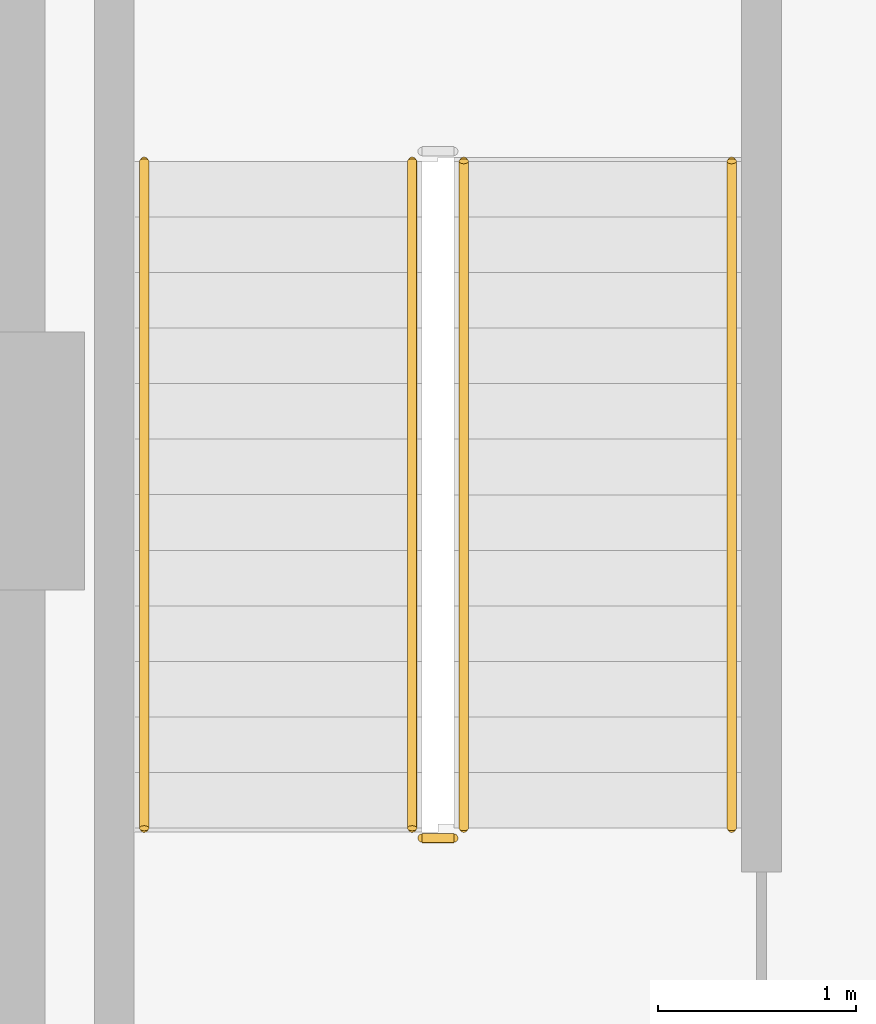
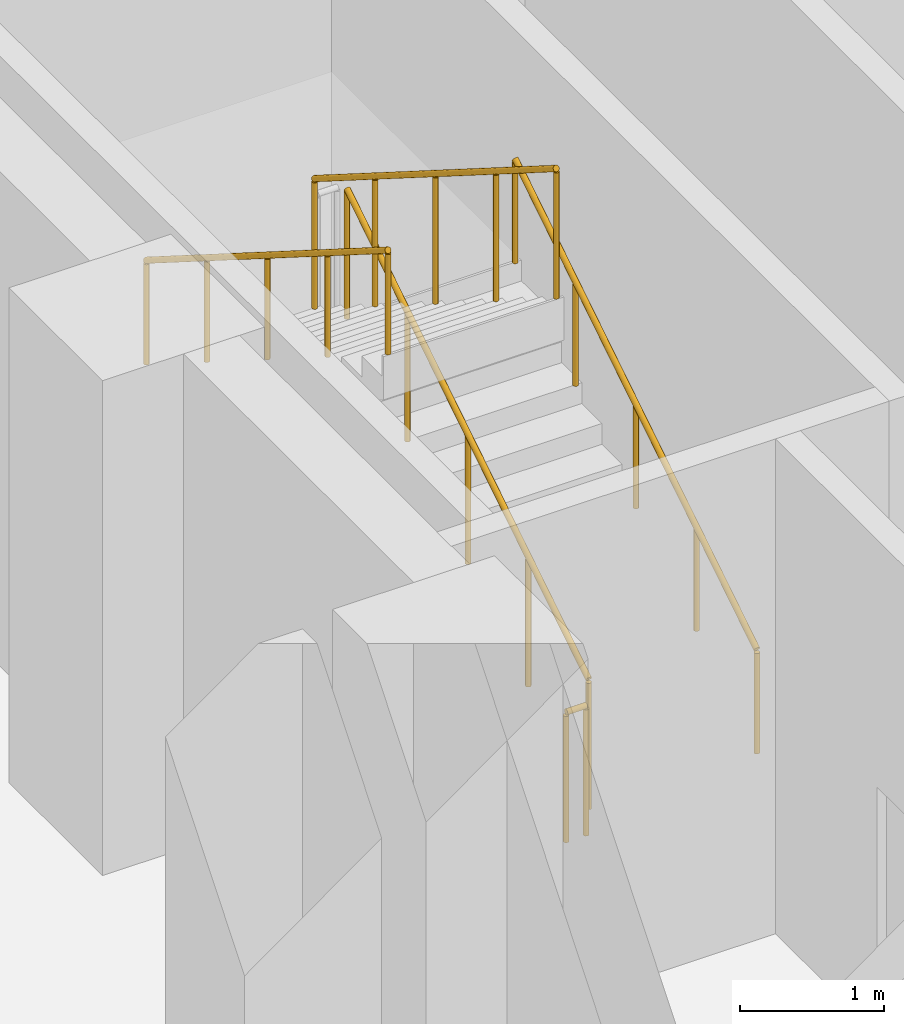
# One storey, part 13 of 17: 5 railings.
"""IFC4 building model written with IfcOpenShell, lengths in metres."""

from ifc_helpers import new_model, si_unit, direction, frame, origin, origin_2d, place, context, subcontext, project, spatial, circle, extrude, material, type_object, element, save


model = new_model("IFC4")

# Units and contexts
model_context = context("Model", 3, precision=1e-05, world=origin(), true_north=direction((0.0, 1.0)))
body_context = subcontext(model_context, "Body", "Model", "MODEL_VIEW")
ifc_project = project(units=[si_unit("LENGTHUNIT", "METRE"), si_unit("AREAUNIT", "SQUARE_METRE"), si_unit("VOLUMEUNIT", "CUBIC_METRE"), si_unit("PLANEANGLEUNIT", "RADIAN"), si_unit("MASSUNIT", "GRAM", prefix="KILO")], contexts=[model_context])

# Site, building, storey
site_placement = place(None, origin())
site = spatial("IfcSite", under=ifc_project, at=site_placement, CompositionType="ELEMENT")
building_placement = place(site_placement, origin())
building = spatial("IfcBuilding", under=site, at=building_placement, Name="Nuvemarco Arch Tower", CompositionType="ELEMENT")
storey_placement = place(building_placement, frame((0.0, 0.0, 23.0)))
storey = spatial("IfcBuildingStorey", under=building, at=storey_placement, Name="L05", CompositionType="ELEMENT", Elevation=23.0)

# Railings
ifc_material_1 = material(Name="Brushed stainless steel handrail", Category="steel")
railing_type_1 = type_object("IfcRailingType", Name="RL-HANDRAIL-900", PredefinedType="HANDRAIL", material=ifc_material_1)
railing_1_placement = place(storey_placement, frame((-13.590087890625, 2.64990234375, 0.177001953125)))
element("IfcRailing", 1, at=railing_1_placement, inside=storey, type_object=railing_type_1, Name="L05 ST-1 stair handrail 1", PredefinedType="HANDRAIL", context=body_context, shape_type="SweptSolid", body=[
    extrude(circle(Radius=0.02392578125, at=origin_2d()), frame((0.0, 0.0, 0.8759765625), z_axis=(0.0, 0.845389635667, 0.534150132366), x_axis=(-1.0, 0.0, 0.0)), (0.0, 0.0, 1.0), 3.974609375),
    extrude(circle(Radius=0.02099609375, at=origin_2d()), origin(), (0.0, 0.0, 1.0), 0.851806640625),
    extrude(circle(Radius=0.02099609375, at=origin_2d()), frame((0.0, 0.840087890625, 0.53076171875)), (0.0, 0.0, 1.0), 0.851806640625),
    extrude(circle(Radius=0.02099609375, at=origin_2d()), frame((0.0, 1.68017578125, 1.0615234375)), (0.0, 0.0, 1.0), 0.851806640625),
    extrude(circle(Radius=0.02099609375, at=origin_2d()), frame((0.0, 2.52001953125, 1.59228515625)), (0.0, 0.0, 1.0), 0.851806640625),
    extrude(circle(Radius=0.02099609375, at=origin_2d()), frame((0.0, 3.360107421875, 2.123046875)), (0.0, 0.0, 1.0), 0.851806640625),
])
railing_2_placement = place(storey_placement, frame((-16.550048828125, 6.010009765625, 2.476806640625)))
element("IfcRailing", 2, at=railing_2_placement, inside=storey, type_object=railing_type_1, Name="L05 ST-1 stair handrail 2", PredefinedType="HANDRAIL", context=body_context, shape_type="SweptSolid", body=[
    extrude(circle(Radius=0.02392578125, at=origin_2d()), frame((0.0, 0.0, 0.8759765625), z_axis=(0.0, -0.845361898145, 0.534194029511), x_axis=(1.0, 0.0, 0.0)), (0.0, 0.0, 1.0), 3.974853515625),
    extrude(circle(Radius=0.02099609375, at=origin_2d()), origin(), (0.0, 0.0, 1.0), 0.851806640625),
    extrude(circle(Radius=0.02099609375, at=origin_2d()), frame((0.0, -0.840087890625, 0.53076171875)), (0.0, 0.0, 1.0), 0.851806640625),
    extrude(circle(Radius=0.02099609375, at=origin_2d()), frame((0.0, -1.68017578125, 1.0615234375)), (0.0, 0.0, 1.0), 0.851806640625),
    extrude(circle(Radius=0.02099609375, at=origin_2d()), frame((0.0, -2.52001953125, 1.592529296875)), (0.0, 0.0, 1.0), 0.851806640625),
    extrude(circle(Radius=0.02099609375, at=origin_2d()), frame((0.0, -3.360107421875, 2.123291015625)), (0.0, 0.0, 1.0), 0.851806640625),
])
ifc_material_2 = material(Name="Painted balustrade steel S355", Category="steel")
railing_type_2 = type_object("IfcRailingType", Name="RL-STAIR-GUARD", PredefinedType="GUARDRAIL", material=ifc_material_2)
railing_3_placement = place(storey_placement, frame((-14.93994140625, 2.64990234375, 0.177001953125)))
element("IfcRailing", 3, at=railing_3_placement, inside=storey, type_object=railing_type_2, Name="L05 ST-1 stair guard 1", PredefinedType="GUARDRAIL", context=body_context, shape_type="SweptSolid", body=[
    extrude(circle(Radius=0.02392578125, at=origin_2d()), frame((0.0, 0.0, 1.09619140625), z_axis=(0.0, 0.845389635667, 0.534150132366), x_axis=(-1.0, 0.0, 0.0)), (0.0, 0.0, 1.0), 3.974609375),
    extrude(circle(Radius=0.02099609375, at=origin_2d()), origin(), (0.0, 0.0, 1.0), 1.072021484375),
    extrude(circle(Radius=0.02099609375, at=origin_2d()), frame((0.0, 0.840087890625, 0.53076171875)), (0.0, 0.0, 1.0), 1.072021484375),
    extrude(circle(Radius=0.02099609375, at=origin_2d()), frame((0.0, 1.68017578125, 1.0615234375)), (0.0, 0.0, 1.0), 1.072021484375),
    extrude(circle(Radius=0.02099609375, at=origin_2d()), frame((0.0, 2.52001953125, 1.59228515625)), (0.0, 0.0, 1.0), 1.072021484375),
    extrude(circle(Radius=0.02099609375, at=origin_2d()), frame((0.0, 3.360107421875, 2.123046875)), (0.0, 0.0, 1.0), 1.072021484375),
])
railing_4_placement = place(storey_placement, frame((-15.199951171875, 6.010009765625, 2.476806640625)))
element("IfcRailing", 4, at=railing_4_placement, inside=storey, type_object=railing_type_2, Name="L05 ST-1 stair guard 3", PredefinedType="GUARDRAIL", context=body_context, shape_type="SweptSolid", body=[
    extrude(circle(Radius=0.02392578125, at=origin_2d()), frame((0.0, 0.0, 1.09619140625), z_axis=(0.0, -0.845361898145, 0.534194029511), x_axis=(1.0, 0.0, 0.0)), (0.0, 0.0, 1.0), 3.974853515625),
    extrude(circle(Radius=0.02099609375, at=origin_2d()), origin(), (0.0, 0.0, 1.0), 1.072021484375),
    extrude(circle(Radius=0.02099609375, at=origin_2d()), frame((0.0, -0.840087890625, 0.53076171875)), (0.0, 0.0, 1.0), 1.072021484375),
    extrude(circle(Radius=0.02099609375, at=origin_2d()), frame((0.0, -1.68017578125, 1.0615234375)), (0.0, 0.0, 1.0), 1.072021484375),
    extrude(circle(Radius=0.02099609375, at=origin_2d()), frame((0.0, -2.52001953125, 1.592529296875)), (0.0, 0.0, 1.0), 1.072021484375),
    extrude(circle(Radius=0.02099609375, at=origin_2d()), frame((0.0, -3.360107421875, 2.123291015625)), (0.0, 0.0, 1.0), 1.072021484375),
])
railing_5_placement = place(storey_placement, frame((-14.989990234375, 2.60009765625, 0.0)))
element("IfcRailing", 5, at=railing_5_placement, inside=storey, type_object=railing_type_2, Name="L05 ST-1 stair guard 4", PredefinedType="GUARDRAIL", context=body_context, shape_type="SweptSolid", body=[
    extrude(circle(Radius=0.02392578125, at=origin_2d()), frame((0.0, 0.0, 1.09619140625), z_axis=(-1.0, 0.0, 0.0), x_axis=(0.0, -1.0, 0.0)), (0.0, 0.0, 1.0), 0.159912109375),
    extrude(circle(Radius=0.02099609375, at=origin_2d()), origin(), (0.0, 0.0, 1.0), 1.072021484375),
    extrude(circle(Radius=0.02099609375, at=origin_2d()), frame((-0.159912109375, 0.0, 0.0)), (0.0, 0.0, 1.0), 1.072021484375),
])

save(model, "model.ifc")
